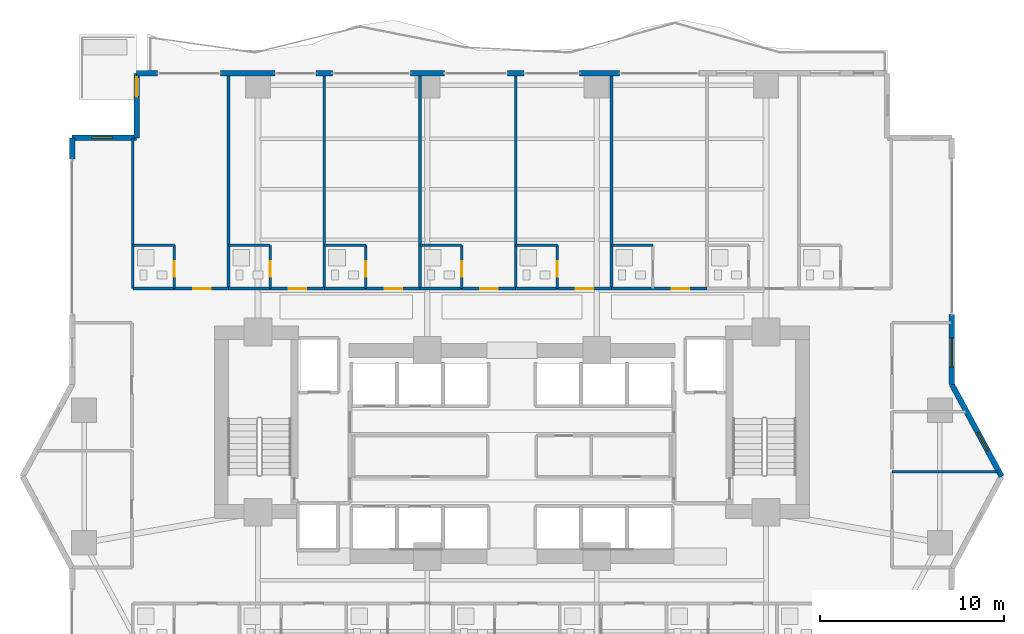
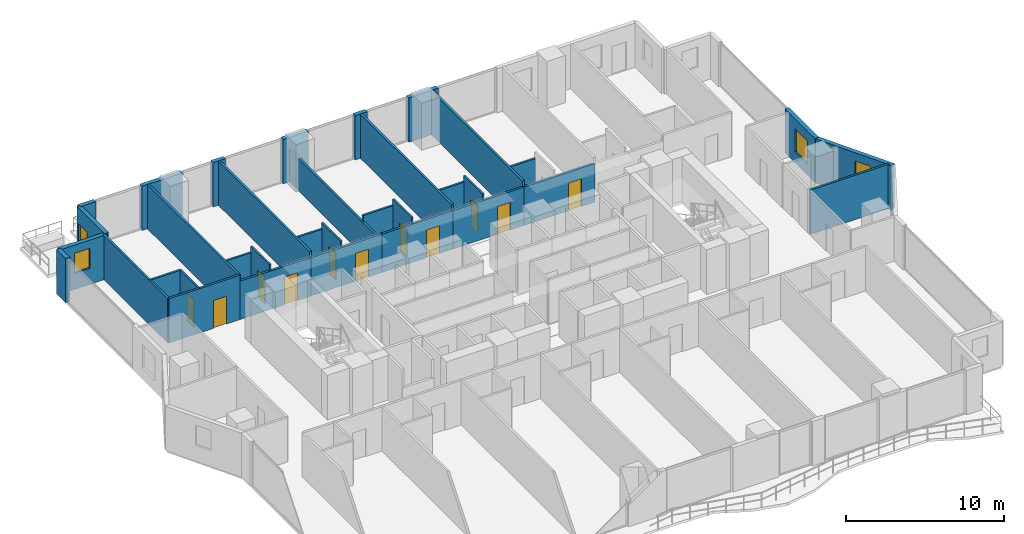
# One storey, part 24 of 29: 35 walls, 12 doors, 3 windows, 15 openings.
"""IFC4 building model written with IfcOpenShell, lengths in metres."""

from ifc_helpers import new_model, si_unit, direction, frame, frame_2d, origin, place, context, subcontext, project, spatial, rectangle, extrude, material, layer, layer_set, type_object, element, fill, save


model = new_model("IFC4")

# Units and contexts
model_context = context("Model", 3, precision=1e-05, world=origin(), true_north=direction((0.0, 1.0)))
body_context = subcontext(model_context, "Body", "Model", "MODEL_VIEW")
ifc_project = project(units=[si_unit("LENGTHUNIT", "METRE"), si_unit("AREAUNIT", "SQUARE_METRE"), si_unit("VOLUMEUNIT", "CUBIC_METRE"), si_unit("PLANEANGLEUNIT", "RADIAN"), si_unit("MASSUNIT", "GRAM", prefix="KILO")], contexts=[model_context])

# Site, building, storey
site_placement = place(None, origin())
site = spatial("IfcSite", under=ifc_project, at=site_placement, CompositionType="ELEMENT")
building_placement = place(site_placement, origin())
building = spatial("IfcBuilding", under=site, at=building_placement, Name="Zuhayl Quay Hotel", CompositionType="ELEMENT")
storey_placement = place(building_placement, frame((0.0, 0.0, 150.39990234375)))
storey = spatial("IfcBuildingStorey", under=building, at=storey_placement, Name="L38", CompositionType="ELEMENT", Elevation=150.39990234375)

# Wall
ifc_material_1 = material(Name="Precast concrete C45/55", Category="concrete")
ifc_layer_1 = layer(ifc_material_1, 0.300048828125, Name="Precast concrete C45/55", Category="concrete")
ifc_layer_set_1 = layer_set([ifc_layer_1], Name="Precast concrete C45/55")
wall_type_1 = type_object("IfcWallType", Name="WL_EXT_300", PredefinedType="STANDARD", material=ifc_layer_set_1)
wall_1_placement = place(storey_placement, frame((-23.89990234375, 23.75, 0.0), z_axis=(0.0, 0.0, 1.0), x_axis=(0.0, 1.0, 0.0)))
element("IfcWall", 1, at=wall_1_placement, inside=storey, type_object=wall_type_1, Name="L38 Exterior Precast Wall ENV_L38_E05_EW2", PredefinedType="STANDARD", context=body_context, shape_type="SweptSolid", body=[
    extrude(rectangle(XDim=1.14990234375, YDim=0.300048828125, at=frame_2d((0.574951171875, 0.0))), origin(), (0.0, 0.0, 1.0), 3.43017578125),
])

# Wall, opening, window
wall_2_placement = place(storey_placement, frame((-23.89990234375, 24.89990234375, 0.0), z_axis=(0.0, 0.0, 1.0), x_axis=(1.0, 0.0, 0.0)))
wall_2 = element("IfcWall", 2, at=wall_2_placement, inside=storey, type_object=wall_type_1, Name="L38 Exterior Precast Wall ENV_L38_EW06", PredefinedType="STANDARD", context=body_context, shape_type="SweptSolid", body=[
    extrude(rectangle(XDim=3.5, YDim=0.300048828125, at=frame_2d((1.75, 0.0))), origin(), (0.0, 0.0, 1.0), 3.43017578125),
])
opening_1_placement = place(wall_2_placement, frame((1.06494140625, 0.0, 1.25)))
opening_1 = element("IfcOpeningElement", 3, at=opening_1_placement, cuts=wall_2, Name="Opening W01N", PredefinedType="OPENING", context=body_context, shape_type="SweptSolid", body=[
    extrude(rectangle(XDim=1.14990234375, YDim=1.550048828125, at=frame_2d((0.574951171875, 0.77490234375))), frame((0.0, 0.159912109375, 0.0), z_axis=(0.0, -1.0, 0.0), x_axis=(1.0, 0.0, 0.0)), (0.0, 0.0, 1.0), 0.320068359375),
])
ifc_material_2 = material(Name="Dark Ceramic-Fritted Solar Glass", Category="glass")
window_type_1 = type_object("IfcWindowType", Name="WN_NOTCH_1350", PartitioningType="SINGLE_PANEL", PredefinedType="WINDOW", material=ifc_material_2)
window_1_placement = place(opening_1_placement, origin())
window_1 = element("IfcWindow", 4, at=window_1_placement, inside=storey, type_object=window_type_1, Name="L38 Corner Notch Window 6", OverallHeight=1.550048828125, OverallWidth=1.14990234375, PartitioningType="SINGLE_PANEL", PredefinedType="WINDOW", context=body_context, shape_type="SweptSolid", body=[
    extrude(rectangle(XDim=1.14990234375, YDim=1.550048828125, at=frame_2d((0.574951171875, 0.77490234375))), frame((0.0, 0.030029296875, 0.0), z_axis=(0.0, -1.0, 0.0), x_axis=(1.0, 0.0, 0.0)), (0.0, 0.0, 1.0), 0.06005859375),
])
fill(opening_1, window_1)

# Wall, opening, door
wall_3_placement = place(storey_placement, frame((-20.39990234375, 24.89990234375, 0.0), z_axis=(0.0, 0.0, 1.0), x_axis=(0.0, 1.0, 0.0)))
wall_3 = element("IfcWall", 5, at=wall_3_placement, inside=storey, type_object=wall_type_1, Name="L38 Exterior Precast Wall ENV_L38_SP_NW", PredefinedType="STANDARD", context=body_context, shape_type="SweptSolid", body=[
    extrude(rectangle(XDim=3.5, YDim=0.300048828125, at=frame_2d((1.75, 0.0))), origin(), (0.0, 0.0, 1.0), 3.43017578125),
])
opening_2_placement = place(wall_3_placement, frame((2.22998046875, 0.0, 0.0)))
opening_2 = element("IfcOpeningElement", 6, at=opening_2_placement, cuts=wall_3, Name="Opening DG1", PredefinedType="OPENING", context=body_context, shape_type="SweptSolid", body=[
    extrude(rectangle(XDim=1.050048828125, YDim=2.199951171875, at=frame_2d((0.52490234375, 1.10009765625))), frame((0.0, 0.159912109375, 0.0), z_axis=(0.0, -1.0, 0.0), x_axis=(1.0, 0.0, 0.0)), (0.0, 0.0, 1.0), 0.320068359375),
])
ifc_material_3 = material(Name="Anodised Aluminium and Dark Solar Glass", Category="aluminium")
door_type_1 = type_object("IfcDoorType", Name="DR_EXT_TERR_1050", OperationType="NOTDEFINED", PredefinedType="DOOR", material=ifc_material_3)
door_1_placement = place(opening_2_placement, origin())
door_1 = element("IfcDoor", 7, at=door_1_placement, inside=storey, type_object=door_type_1, Name="L38 Spiral Sky-Terrace NW Access Door", OperationType="SINGLE_SWING_LEFT", OverallHeight=2.199951171875, OverallWidth=1.050048828125, PredefinedType="DOOR", context=body_context, shape_type="SweptSolid", body=[
    extrude(rectangle(XDim=1.050048828125, YDim=2.199951171875, at=frame_2d((0.52490234375, 1.10009765625))), frame((0.0, 0.02490234375, 0.0), z_axis=(0.0, -1.0, 0.0), x_axis=(1.0, 0.0, 0.0)), (0.0, 0.0, 1.0), 0.050048828125),
])
fill(opening_2, door_1)

# Walls
wall_4_placement = place(storey_placement, frame((-20.39990234375, 28.39990234375, 0.0), z_axis=(0.0, 0.0, 1.0), x_axis=(1.0, 0.0, 0.0)))
element("IfcWall", 8, at=wall_4_placement, inside=storey, type_object=wall_type_1, Name="L38 Exterior Precast Wall ENV_L38_N_EW1", PredefinedType="STANDARD", context=body_context, shape_type="SweptSolid", body=[
    extrude(rectangle(XDim=1.14990234375, YDim=0.300048828125, at=frame_2d((0.574951171875, 0.0))), origin(), (0.0, 0.0, 1.0), 3.43017578125),
])
wall_5_placement = place(storey_placement, frame((-15.85009765625, 28.39990234375, 0.0), z_axis=(0.0, 0.0, 1.0), x_axis=(1.0, 0.0, 0.0)))
element("IfcWall", 9, at=wall_5_placement, inside=storey, type_object=wall_type_1, Name="L38 Exterior Precast Wall ENV_L38_N_EW2", PredefinedType="STANDARD", context=body_context, shape_type="SweptSolid", body=[
    extrude(rectangle(XDim=2.97021484375, YDim=0.300048828125, at=frame_2d((1.485107421875, 0.0))), origin(), (0.0, 0.0, 1.0), 3.43017578125),
])
wall_6_placement = place(storey_placement, frame((-10.64990234375, 28.39990234375, 0.0), z_axis=(0.0, 0.0, 1.0), x_axis=(1.0, 0.0, 0.0)))
element("IfcWall", 10, at=wall_6_placement, inside=storey, type_object=wall_type_1, Name="L38 Exterior Precast Wall ENV_L38_N_EW3", PredefinedType="STANDARD", context=body_context, shape_type="SweptSolid", body=[
    extrude(rectangle(XDim=0.89990234375, YDim=0.300048828125, at=frame_2d((0.449951171875, 0.0))), origin(), (0.0, 0.0, 1.0), 3.43017578125),
])
wall_7_placement = place(storey_placement, frame((-5.52001953125, 28.39990234375, 0.0), z_axis=(0.0, 0.0, 1.0), x_axis=(1.0, 0.0, 0.0)))
element("IfcWall", 11, at=wall_7_placement, inside=storey, type_object=wall_type_1, Name="L38 Exterior Precast Wall ENV_L38_N_EW4", PredefinedType="STANDARD", context=body_context, shape_type="SweptSolid", body=[
    extrude(rectangle(XDim=1.840087890625, YDim=0.300048828125, at=frame_2d((0.919921875, 0.0))), origin(), (0.0, 0.0, 1.0), 3.43017578125),
])
wall_8_placement = place(storey_placement, frame((-0.25, 28.39990234375, 0.0), z_axis=(0.0, 0.0, 1.0), x_axis=(1.0, 0.0, 0.0)))
element("IfcWall", 12, at=wall_8_placement, inside=storey, type_object=wall_type_1, Name="L38 Exterior Precast Wall ENV_L38_N_EW5", PredefinedType="STANDARD", context=body_context, shape_type="SweptSolid", body=[
    extrude(rectangle(XDim=0.89990234375, YDim=0.300048828125, at=frame_2d((0.449951171875, 0.0))), origin(), (0.0, 0.0, 1.0), 3.43017578125),
])
wall_9_placement = place(storey_placement, frame((3.679931640625, 28.39990234375, 0.0), z_axis=(0.0, 0.0, 1.0), x_axis=(1.0, 0.0, 0.0)))
element("IfcWall", 13, at=wall_9_placement, inside=storey, type_object=wall_type_1, Name="L38 Exterior Precast Wall ENV_L38_N_EW6", PredefinedType="STANDARD", context=body_context, shape_type="SweptSolid", body=[
    extrude(rectangle(XDim=2.170166015625, YDim=0.300048828125, at=frame_2d((1.0849609375, 0.0))), origin(), (0.0, 0.0, 1.0), 3.43017578125),
])

# Wall, opening, window
wall_10_placement = place(storey_placement, frame((23.89990234375, 15.300048828125, 0.0), z_axis=(0.0, 0.0, 1.0), x_axis=(0.0, -1.0, 0.0)))
wall_10 = element("IfcWall", 14, at=wall_10_placement, inside=storey, type_object=wall_type_1, Name="L38 Exterior Precast Wall ENV_L38_E11_EW2", PredefinedType="STANDARD", context=body_context, shape_type="SweptSolid", body=[
    extrude(rectangle(XDim=3.800048828125, YDim=0.300048828125, at=frame_2d((1.89990234375, 0.0))), origin(), (0.0, 0.0, 1.0), 3.43017578125),
])
opening_3_placement = place(wall_10_placement, frame((1.264892578125, 0.0, 0.85009765625)))
opening_3 = element("IfcOpeningElement", 15, at=opening_3_placement, cuts=wall_10, Name="Opening W01", PredefinedType="OPENING", context=body_context, shape_type="SweptSolid", body=[
    extrude(rectangle(XDim=1.60009765625, YDim=1.800048828125, at=frame_2d((0.800048828125, 0.89990234375))), frame((0.0, 0.159912109375, 0.0), z_axis=(0.0, -1.0, 0.0), x_axis=(1.0, 0.0, 0.0)), (0.0, 0.0, 1.0), 0.320068359375),
])
window_type_2 = type_object("IfcWindowType", Name="WN_OPERABLE_1600", PartitioningType="DOUBLE_PANEL_VERTICAL", PredefinedType="WINDOW", material=ifc_material_2)
window_2_placement = place(opening_3_placement, origin())
window_2 = element("IfcWindow", 16, at=window_2_placement, inside=storey, type_object=window_type_2, Name="L38 Operable Facade Window 2-1", OverallHeight=1.800048828125, OverallWidth=1.60009765625, PartitioningType="SINGLE_PANEL", PredefinedType="WINDOW", context=body_context, shape_type="SweptSolid", body=[
    extrude(rectangle(XDim=1.60009765625, YDim=1.800048828125, at=frame_2d((0.800048828125, 0.89990234375))), frame((0.0, 0.030029296875, 0.0), z_axis=(0.0, -1.0, 0.0), x_axis=(1.0, 0.0, 0.0)), (0.0, 0.0, 1.0), 0.06005859375),
])
fill(opening_3, window_2)

wall_11_placement = place(storey_placement, frame((23.89990234375, 11.5, 0.0), z_axis=(0.0, 0.0, 1.0), x_axis=(0.475175525499, -0.879891027325, 0.0)))
wall_11 = element("IfcWall", 17, at=wall_11_placement, inside=storey, type_object=wall_type_1, Name="L38 Exterior Precast Wall ENV_L38_EW12", PredefinedType="STANDARD", context=body_context, shape_type="SweptSolid", body=[
    extrude(rectangle(XDim=5.6826171875, YDim=0.300048828125, at=frame_2d((2.84130859375, 0.0))), origin(), (0.0, 0.0, 1.0), 3.43017578125),
])
opening_4_placement = place(wall_11_placement, frame((2.9365234375, 0.0, 1.25)))
opening_4 = element("IfcOpeningElement", 18, at=opening_4_placement, cuts=wall_11, Name="Opening W01N", PredefinedType="OPENING", context=body_context, shape_type="SweptSolid", body=[
    extrude(rectangle(XDim=1.14990234375, YDim=1.550048828125, at=frame_2d((0.574951171875, 0.77490234375))), frame((0.0, 0.159912109375, 0.0), z_axis=(0.0, -1.0, 0.0), x_axis=(1.0, 0.0, 0.0)), (0.0, 0.0, 1.0), 0.320068359375),
])
window_3_placement = place(opening_4_placement, origin())
window_3 = element("IfcWindow", 19, at=window_3_placement, inside=storey, type_object=window_type_1, Name="L38 Corner Notch Window 12", OverallHeight=1.550048828125, OverallWidth=1.14990234375, PartitioningType="SINGLE_PANEL", PredefinedType="WINDOW", context=body_context, shape_type="SweptSolid", body=[
    extrude(rectangle(XDim=1.14990234375, YDim=1.550048828125, at=frame_2d((0.574951171875, 0.77490234375))), frame((0.0, 0.030029296875, 0.0), z_axis=(0.0, -1.0, 0.0), x_axis=(1.0, 0.0, 0.0)), (0.0, 0.0, 1.0), 0.06005859375),
])
fill(opening_4, window_3)

# Walls
ifc_material_4 = material(Name="Acoustic Gypsum Partition STC-58")
ifc_layer_2 = layer(ifc_material_4, 0.14990234375, Name="Acoustic Gypsum Partition STC-58")
ifc_layer_set_2 = layer_set([ifc_layer_2], Name="Acoustic Gypsum Partition STC-58")
wall_type_2 = type_object("IfcWallType", Name="WL_PART_150", PredefinedType="PARTITIONING", material=ifc_layer_set_2)
wall_12_placement = place(storey_placement, frame((-20.60009765625, 16.699951171875, 0.0), z_axis=(0.0, 0.0, 1.0), x_axis=(0.0, 1.0, 0.0)))
element("IfcWall", 20, at=wall_12_placement, inside=storey, type_object=wall_type_2, Name="L38 Partition IW_L38_NU01_W", PredefinedType="PARTITIONING", context=body_context, shape_type="SweptSolid", body=[
    extrude(rectangle(XDim=8.199951171875, YDim=0.14990234375, at=frame_2d((4.10009765625, 0.0))), origin(), (0.0, 0.0, 1.0), 3.43017578125),
])
for number, where, z_axis, x_axis, name in (
    (21, (-15.39990234375, 16.699951171875, 0.0), (0.0, 0.0, 1.0), (0.0, 1.0, 0.0), "L38 Partition IW_L38_NU01_E"),
    (22, (-10.199951171875, 16.699951171875, 0.0), (0.0, 0.0, 1.0), (0.0, 1.0, 0.0), "L38 Partition IW_L38_NU02_E"),
):
    element("IfcWall", number, at=place(storey_placement, frame(where, z_axis=z_axis, x_axis=x_axis)), inside=storey, type_object=wall_type_2, Name=name, PredefinedType="PARTITIONING", context=body_context, shape_type="SweptSolid", body=[
        extrude(rectangle(XDim=11.6201171875, YDim=0.14990234375, at=frame_2d((5.81005859375, 0.0))), origin(), (0.0, 0.0, 1.0), 3.43017578125),
    ])
wall_13_placement = place(storey_placement, frame((-5.0, 16.699951171875, 0.0), z_axis=(0.0, 0.0, 1.0), x_axis=(0.0, 1.0, 0.0)))
element("IfcWall", 23, at=wall_13_placement, inside=storey, type_object=wall_type_2, Name="L38 Partition IW_L38_NU03_E", PredefinedType="PARTITIONING", context=body_context, shape_type="SweptSolid", body=[
    extrude(rectangle(XDim=11.6201171875, YDim=0.14990234375, at=frame_2d((5.81005859375, 0.0))), origin(), (0.0, 0.0, 1.0), 2.503173828125),
])
for number, where, z_axis, x_axis, name in (
    (24, (0.199951171875, 16.699951171875, 0.0), (0.0, 0.0, 1.0), (0.0, 1.0, 0.0), "L38 Partition IW_L38_NU04_E"),
    (25, (5.39990234375, 16.699951171875, 0.0), (0.0, 0.0, 1.0), (0.0, 1.0, 0.0), "L38 Partition IW_L38_NU05_E"),
):
    element("IfcWall", number, at=place(storey_placement, frame(where, z_axis=z_axis, x_axis=x_axis)), inside=storey, type_object=wall_type_2, Name=name, PredefinedType="PARTITIONING", context=body_context, shape_type="SweptSolid", body=[
        extrude(rectangle(XDim=11.6201171875, YDim=0.14990234375, at=frame_2d((5.81005859375, 0.0))), origin(), (0.0, 0.0, 1.0), 3.43017578125),
    ])
wall_14_placement = place(storey_placement, frame((20.64990234375, 6.75, 0.0), z_axis=(0.0, 0.0, 1.0), x_axis=(1.0, 0.0, 0.0)))
element("IfcWall", 26, at=wall_14_placement, inside=storey, type_object=wall_type_2, Name="L38 Partition IW_L38_HK_MAIN_N", PredefinedType="PARTITIONING", context=body_context, shape_type="SweptSolid", body=[
    extrude(rectangle(XDim=5.755126953125, YDim=0.14990234375, at=frame_2d((2.87744140625, 0.0))), origin(), (0.0, 0.0, 1.0), 3.43017578125),
])

# Wall, opening, door
ifc_layer_3 = layer(ifc_material_4, 0.159912109375, Name="Acoustic Gypsum Partition STC-58")
ifc_layer_set_3 = layer_set([ifc_layer_3], Name="Acoustic Gypsum Partition STC-58")
wall_type_3 = type_object("IfcWallType", Name="WL_PART_CORR_160", PredefinedType="PARTITIONING", material=ifc_layer_set_3)
wall_15_placement = place(storey_placement, frame((-20.60009765625, 16.699951171875, 0.0), z_axis=(0.0, 0.0, 1.0), x_axis=(1.0, 0.0, 0.0)))
wall_15 = element("IfcWall", 27, at=wall_15_placement, inside=storey, type_object=wall_type_3, Name="L38 Partition IW_L38_NU01_COR", PredefinedType="PARTITIONING", context=body_context, shape_type="SweptSolid", body=[
    extrude(rectangle(XDim=5.2001953125, YDim=0.159912109375, at=frame_2d((2.60009765625, 0.0))), origin(), (0.0, 0.0, 1.0), 3.43017578125),
])
opening_5_placement = place(wall_15_placement, frame((3.27490234375, 0.0, 0.0)))
opening_5 = element("IfcOpeningElement", 28, at=opening_5_placement, cuts=wall_15, Name="Opening D03", PredefinedType="OPENING", context=body_context, shape_type="SweptSolid", body=[
    extrude(rectangle(XDim=0.949951171875, YDim=2.14990234375, at=frame_2d((0.47509765625, 1.074951171875))), frame((0.0, 0.08984375, 0.0), z_axis=(0.0, -1.0, 0.0), x_axis=(1.0, 0.0, 0.0)), (0.0, 0.0, 1.0), 0.179931640625),
])
ifc_material_5 = material(Name="Solid Walnut Acoustic Fire Door")
door_type_2 = type_object("IfcDoorType", Name="DR_SUITE_950", OperationType="NOTDEFINED", PredefinedType="DOOR", material=ifc_material_5)
door_2_placement = place(opening_5_placement, origin())
door_2 = element("IfcDoor", 29, at=door_2_placement, inside=storey, type_object=door_type_2, Name="L38 Deluxe Gulf Guest Room L38-01 Entrance Door", OperationType="SINGLE_SWING_RIGHT", OverallHeight=2.14990234375, OverallWidth=0.949951171875, PredefinedType="DOOR", context=body_context, shape_type="SweptSolid", body=[
    extrude(rectangle(XDim=0.949951171875, YDim=2.14990234375, at=frame_2d((0.47509765625, 1.074951171875))), frame((0.0, 0.02490234375, 0.0), z_axis=(0.0, -1.0, 0.0), x_axis=(1.0, 0.0, 0.0)), (0.0, 0.0, 1.0), 0.050048828125),
])
fill(opening_5, door_2)

wall_16_placement = place(storey_placement, frame((-15.39990234375, 16.699951171875, 0.0), z_axis=(0.0, 0.0, 1.0), x_axis=(1.0, 0.0, 0.0)))
wall_16 = element("IfcWall", 30, at=wall_16_placement, inside=storey, type_object=wall_type_3, Name="L38 Partition IW_L38_NU02_COR", PredefinedType="PARTITIONING", context=body_context, shape_type="SweptSolid", body=[
    extrude(rectangle(XDim=5.199951171875, YDim=0.159912109375, at=frame_2d((2.60009765625, 0.0))), origin(), (0.0, 0.0, 1.0), 2.97314453125),
])
opening_6_placement = place(wall_16_placement, frame((3.27490234375, 0.0, 0.0)))
opening_6 = element("IfcOpeningElement", 31, at=opening_6_placement, cuts=wall_16, Name="Opening D03", PredefinedType="OPENING", context=body_context, shape_type="SweptSolid", body=[
    extrude(rectangle(XDim=0.949951171875, YDim=2.14990234375, at=frame_2d((0.47509765625, 1.074951171875))), frame((0.0, 0.08984375, 0.0), z_axis=(0.0, -1.0, 0.0), x_axis=(1.0, 0.0, 0.0)), (0.0, 0.0, 1.0), 0.179931640625),
])
door_3_placement = place(opening_6_placement, origin())
door_3 = element("IfcDoor", 32, at=door_3_placement, inside=storey, type_object=door_type_2, Name="L38 Deluxe Gulf Guest Room L38-02 Entrance Door", OperationType="SINGLE_SWING_RIGHT", OverallHeight=2.14990234375, OverallWidth=0.949951171875, PredefinedType="DOOR", context=body_context, shape_type="SweptSolid", body=[
    extrude(rectangle(XDim=0.949951171875, YDim=2.14990234375, at=frame_2d((0.47509765625, 1.074951171875))), frame((0.0, 0.02490234375, 0.0), z_axis=(0.0, -1.0, 0.0), x_axis=(1.0, 0.0, 0.0)), (0.0, 0.0, 1.0), 0.050048828125),
])
fill(opening_6, door_3)

wall_17_placement = place(storey_placement, frame((-10.199951171875, 16.699951171875, 0.0), z_axis=(0.0, 0.0, 1.0), x_axis=(1.0, 0.0, 0.0)))
wall_17 = element("IfcWall", 33, at=wall_17_placement, inside=storey, type_object=wall_type_3, Name="L38 Partition IW_L38_NU03_COR", PredefinedType="PARTITIONING", context=body_context, shape_type="SweptSolid", body=[
    extrude(rectangle(XDim=5.199951171875, YDim=0.159912109375, at=frame_2d((2.60009765625, 0.0))), origin(), (0.0, 0.0, 1.0), 2.97314453125),
])
opening_7_placement = place(wall_17_placement, frame((3.27490234375, 0.0, 0.0)))
opening_7 = element("IfcOpeningElement", 34, at=opening_7_placement, cuts=wall_17, Name="Opening D03", PredefinedType="OPENING", context=body_context, shape_type="SweptSolid", body=[
    extrude(rectangle(XDim=0.949951171875, YDim=2.14990234375, at=frame_2d((0.47509765625, 1.074951171875))), frame((0.0, 0.08984375, 0.0), z_axis=(0.0, -1.0, 0.0), x_axis=(1.0, 0.0, 0.0)), (0.0, 0.0, 1.0), 0.179931640625),
])
door_4_placement = place(opening_7_placement, origin())
door_4 = element("IfcDoor", 35, at=door_4_placement, inside=storey, type_object=door_type_2, Name="L38 Deluxe Gulf Guest Room L38-03 Entrance Door", OperationType="SINGLE_SWING_RIGHT", OverallHeight=2.14990234375, OverallWidth=0.949951171875, PredefinedType="DOOR", context=body_context, shape_type="SweptSolid", body=[
    extrude(rectangle(XDim=0.949951171875, YDim=2.14990234375, at=frame_2d((0.47509765625, 1.074951171875))), frame((0.0, 0.02490234375, 0.0), z_axis=(0.0, -1.0, 0.0), x_axis=(1.0, 0.0, 0.0)), (0.0, 0.0, 1.0), 0.050048828125),
])
fill(opening_7, door_4)

wall_18_placement = place(storey_placement, frame((-5.0, 16.699951171875, 0.0), z_axis=(0.0, 0.0, 1.0), x_axis=(1.0, 0.0, 0.0)))
wall_18 = element("IfcWall", 36, at=wall_18_placement, inside=storey, type_object=wall_type_3, Name="L38 Partition IW_L38_NU04_COR", PredefinedType="PARTITIONING", context=body_context, shape_type="SweptSolid", body=[
    extrude(rectangle(XDim=5.199951171875, YDim=0.159912109375, at=frame_2d((2.60009765625, 0.0))), origin(), (0.0, 0.0, 1.0), 2.97314453125),
])
opening_8_placement = place(wall_18_placement, frame((3.27490234375, 0.0, 0.0)))
opening_8 = element("IfcOpeningElement", 37, at=opening_8_placement, cuts=wall_18, Name="Opening D03", PredefinedType="OPENING", context=body_context, shape_type="SweptSolid", body=[
    extrude(rectangle(XDim=0.949951171875, YDim=2.14990234375, at=frame_2d((0.47509765625, 1.074951171875))), frame((0.0, 0.08984375, 0.0), z_axis=(0.0, -1.0, 0.0), x_axis=(1.0, 0.0, 0.0)), (0.0, 0.0, 1.0), 0.179931640625),
])
door_5_placement = place(opening_8_placement, origin())
door_5 = element("IfcDoor", 38, at=door_5_placement, inside=storey, type_object=door_type_2, Name="L38 Deluxe Gulf Guest Room L38-04 Entrance Door", OperationType="SINGLE_SWING_RIGHT", OverallHeight=2.14990234375, OverallWidth=0.949951171875, PredefinedType="DOOR", context=body_context, shape_type="SweptSolid", body=[
    extrude(rectangle(XDim=0.949951171875, YDim=2.14990234375, at=frame_2d((0.47509765625, 1.074951171875))), frame((0.0, 0.02490234375, 0.0), z_axis=(0.0, -1.0, 0.0), x_axis=(1.0, 0.0, 0.0)), (0.0, 0.0, 1.0), 0.050048828125),
])
fill(opening_8, door_5)

wall_19_placement = place(storey_placement, frame((0.199951171875, 16.699951171875, 0.0), z_axis=(0.0, 0.0, 1.0), x_axis=(1.0, 0.0, 0.0)))
wall_19 = element("IfcWall", 39, at=wall_19_placement, inside=storey, type_object=wall_type_3, Name="L38 Partition IW_L38_NU05_COR", PredefinedType="PARTITIONING", context=body_context, shape_type="SweptSolid", body=[
    extrude(rectangle(XDim=5.199951171875, YDim=0.159912109375, at=frame_2d((2.60009765625, 0.0))), origin(), (0.0, 0.0, 1.0), 2.97314453125),
])
opening_9_placement = place(wall_19_placement, frame((3.27490234375, 0.0, 0.0)))
opening_9 = element("IfcOpeningElement", 40, at=opening_9_placement, cuts=wall_19, Name="Opening D03", PredefinedType="OPENING", context=body_context, shape_type="SweptSolid", body=[
    extrude(rectangle(XDim=0.949951171875, YDim=2.14990234375, at=frame_2d((0.47509765625, 1.074951171875))), frame((0.0, 0.08984375, 0.0), z_axis=(0.0, -1.0, 0.0), x_axis=(1.0, 0.0, 0.0)), (0.0, 0.0, 1.0), 0.179931640625),
])
door_6_placement = place(opening_9_placement, origin())
door_6 = element("IfcDoor", 41, at=door_6_placement, inside=storey, type_object=door_type_2, Name="L38 Deluxe Gulf Guest Room L38-05 Entrance Door", OperationType="SINGLE_SWING_RIGHT", OverallHeight=2.14990234375, OverallWidth=0.949951171875, PredefinedType="DOOR", context=body_context, shape_type="SweptSolid", body=[
    extrude(rectangle(XDim=0.949951171875, YDim=2.14990234375, at=frame_2d((0.47509765625, 1.074951171875))), frame((0.0, 0.02490234375, 0.0), z_axis=(0.0, -1.0, 0.0), x_axis=(1.0, 0.0, 0.0)), (0.0, 0.0, 1.0), 0.050048828125),
])
fill(opening_9, door_6)

wall_20_placement = place(storey_placement, frame((5.39990234375, 16.699951171875, 0.0), z_axis=(0.0, 0.0, 1.0), x_axis=(1.0, 0.0, 0.0)))
wall_20 = element("IfcWall", 42, at=wall_20_placement, inside=storey, type_object=wall_type_3, Name="L38 Partition IW_L38_NU06_COR", PredefinedType="PARTITIONING", context=body_context, shape_type="SweptSolid", body=[
    extrude(rectangle(XDim=5.2001953125, YDim=0.159912109375, at=frame_2d((2.60009765625, 0.0))), origin(), (0.0, 0.0, 1.0), 2.97314453125),
])
opening_10_placement = place(wall_20_placement, frame((3.27490234375, 0.0, 0.0)))
opening_10 = element("IfcOpeningElement", 43, at=opening_10_placement, cuts=wall_20, Name="Opening D03", PredefinedType="OPENING", context=body_context, shape_type="SweptSolid", body=[
    extrude(rectangle(XDim=0.949951171875, YDim=2.14990234375, at=frame_2d((0.47509765625, 1.074951171875))), frame((0.0, 0.08984375, 0.0), z_axis=(0.0, -1.0, 0.0), x_axis=(1.0, 0.0, 0.0)), (0.0, 0.0, 1.0), 0.179931640625),
])
door_7_placement = place(opening_10_placement, origin())
door_7 = element("IfcDoor", 44, at=door_7_placement, inside=storey, type_object=door_type_2, Name="L38 Deluxe Gulf Guest Room L38-06 Entrance Door", OperationType="SINGLE_SWING_RIGHT", OverallHeight=2.14990234375, OverallWidth=0.949951171875, PredefinedType="DOOR", context=body_context, shape_type="SweptSolid", body=[
    extrude(rectangle(XDim=0.949951171875, YDim=2.14990234375, at=frame_2d((0.47509765625, 1.074951171875))), frame((0.0, 0.02490234375, 0.0), z_axis=(0.0, -1.0, 0.0), x_axis=(1.0, 0.0, 0.0)), (0.0, 0.0, 1.0), 0.050048828125),
])
fill(opening_10, door_7)

ifc_material_6 = material(Name="Moisture-Resistant Sanitarychase Gypsum")
ifc_layer_4 = layer(ifc_material_6, 0.135009765625, Name="Moisture-Resistant Sanitarychase Gypsum")
ifc_layer_set_4 = layer_set([ifc_layer_4], Name="Moisture-Resistant Sanitarychase Gypsum")
wall_type_4 = type_object("IfcWallType", Name="WL_PART_PLUMB_150", PredefinedType="PLUMBINGWALL", material=ifc_layer_set_4)
wall_21_placement = place(storey_placement, frame((-18.340087890625, 16.699951171875, 0.0), z_axis=(0.0, 0.0, 1.0), x_axis=(0.0, 1.0, 0.0)))
wall_21 = element("IfcWall", 45, at=wall_21_placement, inside=storey, type_object=wall_type_4, Name="L38 Partition IW_L38_NU01_BE", PredefinedType="PLUMBINGWALL", context=body_context, shape_type="SweptSolid", body=[
    extrude(rectangle(XDim=2.360107421875, YDim=0.135009765625, at=frame_2d((1.18017578125, 0.0))), origin(), (0.0, 0.0, 1.0), 3.43017578125),
])
opening_11_placement = place(wall_21_placement, frame((0.64990234375, 0.0, 0.0)))
opening_11 = element("IfcOpeningElement", 46, at=opening_11_placement, cuts=wall_21, Name="Opening D04", PredefinedType="OPENING", context=body_context, shape_type="SweptSolid", body=[
    extrude(rectangle(XDim=0.85009765625, YDim=2.10009765625, at=frame_2d((0.425048828125, 1.050048828125))), frame((0.0, 0.077392578125, 0.0), z_axis=(0.0, -1.0, 0.0), x_axis=(1.0, 0.0, 0.0)), (0.0, 0.0, 1.0), 0.155029296875),
])
ifc_material_7 = material(Name="Moisture-Resistant Walnut Veneer")
door_type_3 = type_object("IfcDoorType", Name="DR_BATH_850", OperationType="NOTDEFINED", PredefinedType="DOOR", material=ifc_material_7)
door_8_placement = place(opening_11_placement, origin())
door_8 = element("IfcDoor", 47, at=door_8_placement, inside=storey, type_object=door_type_3, Name="L38 Deluxe Gulf Guest Room L38-01 En-Suite Door", OperationType="SINGLE_SWING_LEFT", OverallHeight=2.10009765625, OverallWidth=0.85009765625, PredefinedType="DOOR", context=body_context, shape_type="SweptSolid", body=[
    extrude(rectangle(XDim=0.85009765625, YDim=2.10009765625, at=frame_2d((0.425048828125, 1.050048828125))), frame((0.0, 0.02490234375, 0.0), z_axis=(0.0, -1.0, 0.0), x_axis=(1.0, 0.0, 0.0)), (0.0, 0.0, 1.0), 0.050048828125),
])
fill(opening_11, door_8)

wall_22_placement = place(storey_placement, frame((-13.139892578125, 16.699951171875, 0.0), z_axis=(0.0, 0.0, 1.0), x_axis=(0.0, 1.0, 0.0)))
wall_22 = element("IfcWall", 48, at=wall_22_placement, inside=storey, type_object=wall_type_4, Name="L38 Partition IW_L38_NU02_BE", PredefinedType="PLUMBINGWALL", context=body_context, shape_type="SweptSolid", body=[
    extrude(rectangle(XDim=2.360107421875, YDim=0.135009765625, at=frame_2d((1.18017578125, 0.0))), origin(), (0.0, 0.0, 1.0), 3.43017578125),
])
opening_12_placement = place(wall_22_placement, frame((0.64990234375, 0.0, 0.0)))
opening_12 = element("IfcOpeningElement", 49, at=opening_12_placement, cuts=wall_22, Name="Opening D04", PredefinedType="OPENING", context=body_context, shape_type="SweptSolid", body=[
    extrude(rectangle(XDim=0.85009765625, YDim=2.10009765625, at=frame_2d((0.425048828125, 1.050048828125))), frame((0.0, 0.077392578125, 0.0), z_axis=(0.0, -1.0, 0.0), x_axis=(1.0, 0.0, 0.0)), (0.0, 0.0, 1.0), 0.155029296875),
])
door_9_placement = place(opening_12_placement, origin())
door_9 = element("IfcDoor", 50, at=door_9_placement, inside=storey, type_object=door_type_3, Name="L38 Deluxe Gulf Guest Room L38-02 En-Suite Door", OperationType="SINGLE_SWING_LEFT", OverallHeight=2.10009765625, OverallWidth=0.85009765625, PredefinedType="DOOR", context=body_context, shape_type="SweptSolid", body=[
    extrude(rectangle(XDim=0.85009765625, YDim=2.10009765625, at=frame_2d((0.425048828125, 1.050048828125))), frame((0.0, 0.02490234375, 0.0), z_axis=(0.0, -1.0, 0.0), x_axis=(1.0, 0.0, 0.0)), (0.0, 0.0, 1.0), 0.050048828125),
])
fill(opening_12, door_9)

wall_23_placement = place(storey_placement, frame((-7.93994140625, 16.699951171875, 0.0), z_axis=(0.0, 0.0, 1.0), x_axis=(0.0, 1.0, 0.0)))
wall_23 = element("IfcWall", 51, at=wall_23_placement, inside=storey, type_object=wall_type_4, Name="L38 Partition IW_L38_NU03_BE", PredefinedType="PLUMBINGWALL", context=body_context, shape_type="SweptSolid", body=[
    extrude(rectangle(XDim=2.360107421875, YDim=0.135009765625, at=frame_2d((1.18017578125, 0.0))), origin(), (0.0, 0.0, 1.0), 3.43017578125),
])
opening_13_placement = place(wall_23_placement, frame((0.64990234375, 0.0, 0.0)))
opening_13 = element("IfcOpeningElement", 52, at=opening_13_placement, cuts=wall_23, Name="Opening D04", PredefinedType="OPENING", context=body_context, shape_type="SweptSolid", body=[
    extrude(rectangle(XDim=0.85009765625, YDim=2.10009765625, at=frame_2d((0.425048828125, 1.050048828125))), frame((0.0, 0.077392578125, 0.0), z_axis=(0.0, -1.0, 0.0), x_axis=(1.0, 0.0, 0.0)), (0.0, 0.0, 1.0), 0.155029296875),
])
door_10_placement = place(opening_13_placement, origin())
door_10 = element("IfcDoor", 53, at=door_10_placement, inside=storey, type_object=door_type_3, Name="L38 Deluxe Gulf Guest Room L38-03 En-Suite Door", OperationType="SINGLE_SWING_LEFT", OverallHeight=2.10009765625, OverallWidth=0.85009765625, PredefinedType="DOOR", context=body_context, shape_type="SweptSolid", body=[
    extrude(rectangle(XDim=0.85009765625, YDim=2.10009765625, at=frame_2d((0.425048828125, 1.050048828125))), frame((0.0, 0.02490234375, 0.0), z_axis=(0.0, -1.0, 0.0), x_axis=(1.0, 0.0, 0.0)), (0.0, 0.0, 1.0), 0.050048828125),
])
fill(opening_13, door_10)

wall_24_placement = place(storey_placement, frame((-2.739990234375, 16.699951171875, 0.0), z_axis=(0.0, 0.0, 1.0), x_axis=(0.0, 1.0, 0.0)))
wall_24 = element("IfcWall", 54, at=wall_24_placement, inside=storey, type_object=wall_type_4, Name="L38 Partition IW_L38_NU04_BE", PredefinedType="PLUMBINGWALL", context=body_context, shape_type="SweptSolid", body=[
    extrude(rectangle(XDim=2.360107421875, YDim=0.135009765625, at=frame_2d((1.18017578125, 0.0))), origin(), (0.0, 0.0, 1.0), 3.43017578125),
])
opening_14_placement = place(wall_24_placement, frame((0.64990234375, 0.0, 0.0)))
opening_14 = element("IfcOpeningElement", 55, at=opening_14_placement, cuts=wall_24, Name="Opening D04", PredefinedType="OPENING", context=body_context, shape_type="SweptSolid", body=[
    extrude(rectangle(XDim=0.85009765625, YDim=2.10009765625, at=frame_2d((0.425048828125, 1.050048828125))), frame((0.0, 0.077392578125, 0.0), z_axis=(0.0, -1.0, 0.0), x_axis=(1.0, 0.0, 0.0)), (0.0, 0.0, 1.0), 0.155029296875),
])
door_11_placement = place(opening_14_placement, origin())
door_11 = element("IfcDoor", 56, at=door_11_placement, inside=storey, type_object=door_type_3, Name="L38 Deluxe Gulf Guest Room L38-04 En-Suite Door", OperationType="SINGLE_SWING_LEFT", OverallHeight=2.10009765625, OverallWidth=0.85009765625, PredefinedType="DOOR", context=body_context, shape_type="SweptSolid", body=[
    extrude(rectangle(XDim=0.85009765625, YDim=2.10009765625, at=frame_2d((0.425048828125, 1.050048828125))), frame((0.0, 0.02490234375, 0.0), z_axis=(0.0, -1.0, 0.0), x_axis=(1.0, 0.0, 0.0)), (0.0, 0.0, 1.0), 0.050048828125),
])
fill(opening_14, door_11)

wall_25_placement = place(storey_placement, frame((2.4599609375, 16.699951171875, 0.0), z_axis=(0.0, 0.0, 1.0), x_axis=(0.0, 1.0, 0.0)))
wall_25 = element("IfcWall", 57, at=wall_25_placement, inside=storey, type_object=wall_type_4, Name="L38 Partition IW_L38_NU05_BE", PredefinedType="PLUMBINGWALL", context=body_context, shape_type="SweptSolid", body=[
    extrude(rectangle(XDim=2.360107421875, YDim=0.135009765625, at=frame_2d((1.18017578125, 0.0))), origin(), (0.0, 0.0, 1.0), 3.43017578125),
])
opening_15_placement = place(wall_25_placement, frame((0.64990234375, 0.0, 0.0)))
opening_15 = element("IfcOpeningElement", 58, at=opening_15_placement, cuts=wall_25, Name="Opening D04", PredefinedType="OPENING", context=body_context, shape_type="SweptSolid", body=[
    extrude(rectangle(XDim=0.85009765625, YDim=2.10009765625, at=frame_2d((0.425048828125, 1.050048828125))), frame((0.0, 0.077392578125, 0.0), z_axis=(0.0, -1.0, 0.0), x_axis=(1.0, 0.0, 0.0)), (0.0, 0.0, 1.0), 0.155029296875),
])
door_12_placement = place(opening_15_placement, origin())
door_12 = element("IfcDoor", 59, at=door_12_placement, inside=storey, type_object=door_type_3, Name="L38 Deluxe Gulf Guest Room L38-05 En-Suite Door", OperationType="SINGLE_SWING_LEFT", OverallHeight=2.10009765625, OverallWidth=0.85009765625, PredefinedType="DOOR", context=body_context, shape_type="SweptSolid", body=[
    extrude(rectangle(XDim=0.85009765625, YDim=2.10009765625, at=frame_2d((0.425048828125, 1.050048828125))), frame((0.0, 0.02490234375, 0.0), z_axis=(0.0, -1.0, 0.0), x_axis=(1.0, 0.0, 0.0)), (0.0, 0.0, 1.0), 0.050048828125),
])
fill(opening_15, door_12)

# Walls
wall_26_placement = place(storey_placement, frame((-20.60009765625, 19.06005859375, 0.0), z_axis=(0.0, 0.0, 1.0), x_axis=(1.0, 0.0, 0.0)))
element("IfcWall", 60, at=wall_26_placement, inside=storey, type_object=wall_type_4, Name="L38 Partition IW_L38_NU01_BN", PredefinedType="PLUMBINGWALL", context=body_context, shape_type="SweptSolid", body=[
    extrude(rectangle(XDim=2.260009765625, YDim=0.135009765625, at=frame_2d((1.1298828125, 0.0))), origin(), (0.0, 0.0, 1.0), 3.43017578125),
])
for number, where, z_axis, x_axis, name in (
    (61, (-15.39990234375, 19.06005859375, 0.0), (0.0, 0.0, 1.0), (1.0, 0.0, 0.0), "L38 Partition IW_L38_NU02_BN"),
    (62, (-10.199951171875, 19.06005859375, 0.0), (0.0, 0.0, 1.0), (1.0, 0.0, 0.0), "L38 Partition IW_L38_NU03_BN"),
    (63, (-5.0, 19.06005859375, 0.0), (0.0, 0.0, 1.0), (1.0, 0.0, 0.0), "L38 Partition IW_L38_NU04_BN"),
    (64, (0.199951171875, 19.06005859375, 0.0), (0.0, 0.0, 1.0), (1.0, 0.0, 0.0), "L38 Partition IW_L38_NU05_BN"),
    (65, (5.39990234375, 19.06005859375, 0.0), (0.0, 0.0, 1.0), (1.0, 0.0, 0.0), "L38 Partition IW_L38_NU06_BN"),
):
    element("IfcWall", number, at=place(storey_placement, frame(where, z_axis=z_axis, x_axis=x_axis)), inside=storey, type_object=wall_type_4, Name=name, PredefinedType="PLUMBINGWALL", context=body_context, shape_type="SweptSolid", body=[
        extrude(rectangle(XDim=2.260009765625, YDim=0.135009765625, at=frame_2d((1.1298828125, 0.0))), origin(), (0.0, 0.0, 1.0), 2.97314453125),
    ])

save(model, "model.ifc")
